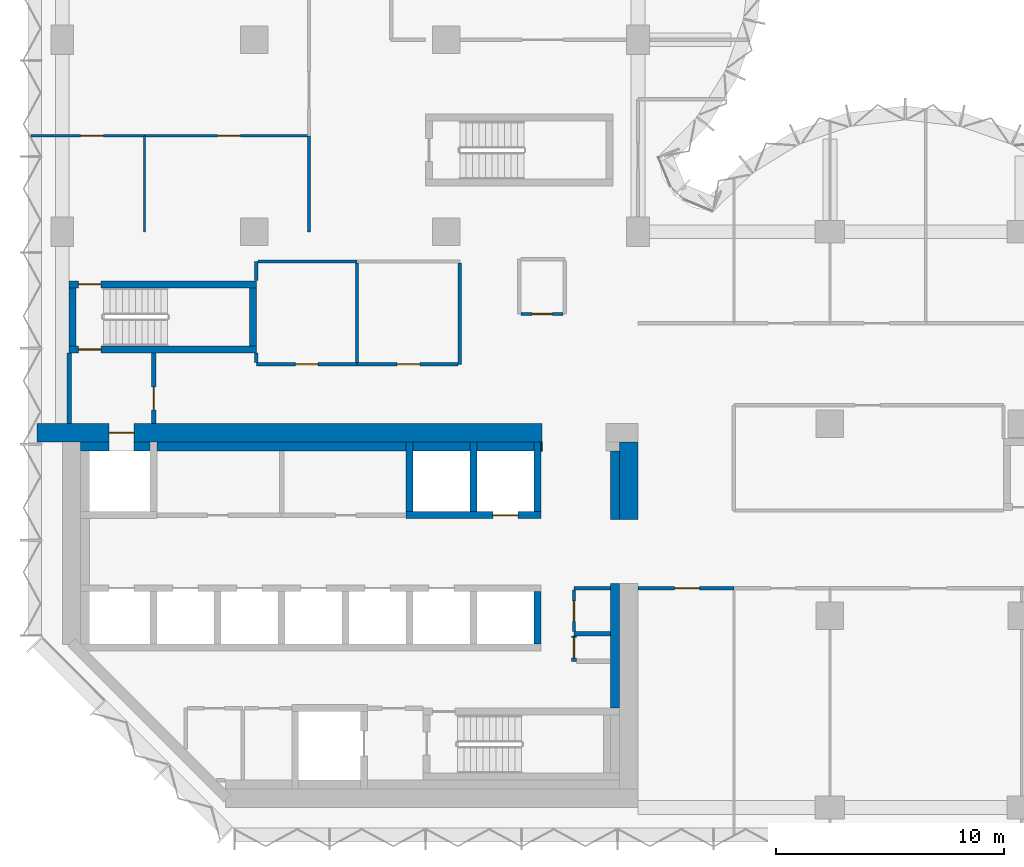
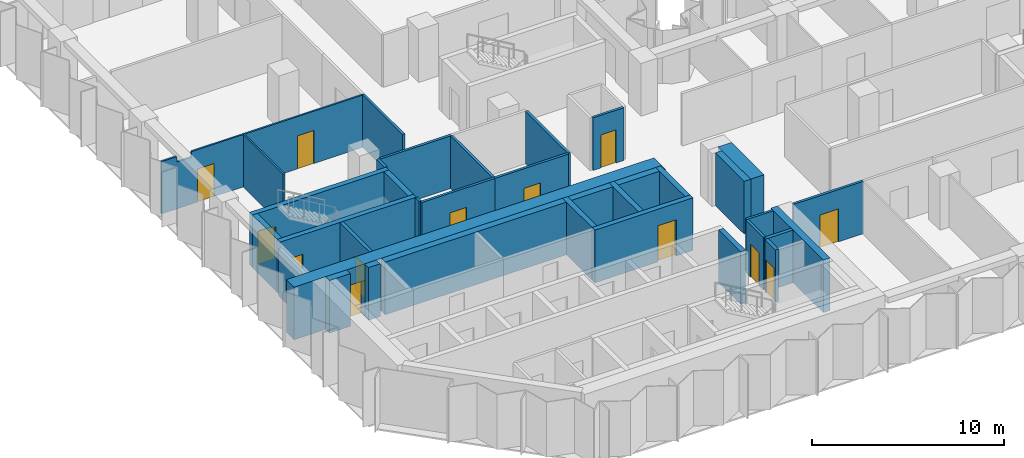
# One storey, part 8 of 13: 38 walls, 13 doors, 13 openings.
"""IFC4 building model written with IfcOpenShell, lengths in metres."""

from ifc_helpers import new_model, si_unit, direction, frame, frame_2d, origin, place, context, subcontext, project, spatial, polyline, rectangle, outline, extrude, material, layer, layer_set, type_object, element, fill, save


model = new_model("IFC4")

# Units and contexts
model_context = context("Model", 3, precision=1e-05, world=origin(), true_north=direction((0.0, 1.0)))
body_context = subcontext(model_context, "Body", "Model", "MODEL_VIEW")
ifc_project = project(units=[si_unit("LENGTHUNIT", "METRE"), si_unit("AREAUNIT", "SQUARE_METRE"), si_unit("VOLUMEUNIT", "CUBIC_METRE"), si_unit("PLANEANGLEUNIT", "RADIAN"), si_unit("MASSUNIT", "GRAM", prefix="KILO")], contexts=[model_context])

# Site, building, storey
site_placement = place(None, origin())
site = spatial("IfcSite", under=ifc_project, at=site_placement, CompositionType="ELEMENT")
building_placement = place(site_placement, origin())
building = spatial("IfcBuilding", under=site, at=building_placement, Name="Brevane Broadcast Tower", CompositionType="ELEMENT")
storey_placement = place(building_placement, frame((0.0, 0.0, 113.300048828125)))
storey = spatial("IfcBuildingStorey", under=building, at=storey_placement, Name="L27", CompositionType="ELEMENT", Elevation=113.300048828125)

# Walls
ifc_material_1 = material(Name="Concrete C32/40", Category="concrete")
ifc_layer_1 = layer(ifc_material_1, 0.39990234375)
ifc_layer_set_1 = layer_set([ifc_layer_1], Name="Core chase wall 400 mm")
wall_type_1 = type_object("IfcWallType", Name="Core chase wall 400 mm", PredefinedType="PARTITIONING", material=ifc_layer_set_1)
wall_1_placement = place(storey_placement, frame((24.199951171875, 12.60009765625, 0.0), z_axis=(0.0, 0.0, 1.0), x_axis=(0.0, 1.0, 0.0)))
element("IfcWall", 1, at=wall_1_placement, inside=storey, type_object=wall_type_1, Name="L27 chase wall LE2", PredefinedType="PARTITIONING", context=body_context, shape_type="SweptSolid", body=[
    extrude(rectangle(XDim=3.0, YDim=0.39990234375, at=frame_2d((1.5, 0.0))), origin(), (0.0, 0.0, 1.0), 3.349853515625),
])
wall_2_placement = place(storey_placement, frame((0.800048828125, 15.800048828125, 0.0), z_axis=(0.0, 0.0, 1.0), x_axis=(1.0, 0.0, 0.0)))
element("IfcWall", 2, at=wall_2_placement, inside=storey, type_object=wall_type_1, Name="L27 chase wall LN0", PredefinedType="PARTITIONING", context=body_context, shape_type="SweptSolid", body=[
    extrude(rectangle(XDim=1.25, YDim=0.39990234375, at=frame_2d((0.625, 0.0))), origin(), (0.0, 0.0, 1.0), 3.349853515625),
])
wall_3_placement = place(storey_placement, frame((3.14990234375, 15.800048828125, 0.0), z_axis=(0.0, 0.0, 1.0), x_axis=(1.0, 0.0, 0.0)))
element("IfcWall", 3, at=wall_3_placement, inside=storey, type_object=wall_type_1, Name="L27 chase wall LN1-1", PredefinedType="PARTITIONING", context=body_context, shape_type="SweptSolid", body=[
    extrude(rectangle(XDim=0.7001953125, YDim=0.39990234375, at=frame_2d((0.35009765625, 0.0))), origin(), (0.0, 0.0, 1.0), 3.349853515625),
])
wall_4_placement = place(storey_placement, frame((4.14990234375, 15.800048828125, 0.0), z_axis=(0.0, 0.0, 1.0), x_axis=(1.0, 0.0, 0.0)))
element("IfcWall", 4, at=wall_4_placement, inside=storey, type_object=wall_type_1, Name="L27 chase wall LN1-2-1", PredefinedType="PARTITIONING", context=body_context, shape_type="SweptSolid", body=[
    extrude(rectangle(XDim=10.900146484375, YDim=0.39990234375, at=frame_2d((5.4501953125, 0.0))), origin(), (0.0, 0.0, 1.0), 3.349853515625),
])
for number, where, z_axis, x_axis, name in (
    (5, (15.35009765625, 15.800048828125, 0.0), (0.0, 0.0, 1.0), (1.0, 0.0, 0.0), "L27 chase wall LN1-2-2-1"),
    (6, (18.14990234375, 15.800048828125, 0.0), (0.0, 0.0, 1.0), (1.0, 0.0, 0.0), "L27 chase wall LN1-2-2-2-1"),
):
    element("IfcWall", number, at=place(storey_placement, frame(where, z_axis=z_axis, x_axis=x_axis)), inside=storey, type_object=wall_type_1, Name=name, PredefinedType="PARTITIONING", context=body_context, shape_type="SweptSolid", body=[
        extrude(rectangle(XDim=2.5, YDim=0.39990234375, at=frame_2d((1.25, 0.0))), origin(), (0.0, 0.0, 1.0), 3.349853515625),
    ])
wall_5_placement = place(storey_placement, frame((20.949951171875, 15.800048828125, 0.0), z_axis=(0.0, 0.0, 1.0), x_axis=(1.0, 0.0, 0.0)))
element("IfcWall", 7, at=wall_5_placement, inside=storey, type_object=wall_type_1, Name="L27 chase wall LN1-2-2-2-2", PredefinedType="PARTITIONING", context=body_context, shape_type="SweptSolid", body=[
    extrude(rectangle(XDim=0.050048828125, YDim=0.39990234375, at=frame_2d((0.02490234375, 0.0))), origin(), (0.0, 0.0, 1.0), 3.349853515625),
])
wall_6_placement = place(storey_placement, frame((24.199951171875, 4.35009765625, 0.0), z_axis=(0.0, 0.0, 1.0), x_axis=(0.0, 1.0, 0.0)))
element("IfcWall", 8, at=wall_6_placement, inside=storey, type_object=wall_type_1, Name="L27 chase wall LE1-2-2", PredefinedType="PARTITIONING", context=body_context, shape_type="SweptSolid", body=[
    extrude(rectangle(XDim=5.449951171875, YDim=0.39990234375, at=frame_2d((2.72509765625, 0.0))), origin(), (0.0, 0.0, 1.0), 3.349853515625),
])

# Wall, opening, door
ifc_material_2 = material(Name="Gypsum board on steel studs", Category="steel")
ifc_layer_2 = layer(ifc_material_2, 0.14990234375)
ifc_layer_set_2 = layer_set([ifc_layer_2], Name="Core fire partition 150 mm")
wall_type_2 = type_object("IfcWallType", Name="Core fire partition 150 mm", PredefinedType="PARTITIONING", material=ifc_layer_set_2)
wall_7_placement = place(storey_placement, frame((12.89990234375, 19.39990234375, 0.0), z_axis=(0.0, 0.0, 1.0), x_axis=(-1.0, 0.0, 0.0)))
wall_7 = element("IfcWall", 9, at=wall_7_placement, inside=storey, type_object=wall_type_2, Name="L27 partition wall P15", PredefinedType="PARTITIONING", context=body_context, shape_type="SweptSolid", body=[
    extrude(rectangle(XDim=4.39990234375, YDim=0.14990234375, at=frame_2d((2.199951171875, 0.0))), origin(), (0.0, 0.0, 1.0), 3.349853515625),
])
opening_1_placement = place(wall_7_placement, frame((1.699951171875, 0.0, 0.0)))
opening_1 = element("IfcOpeningElement", 10, at=opening_1_placement, cuts=wall_7, Name="Opening L27-K25", PredefinedType="OPENING", context=body_context, shape_type="SweptSolid", body=[
    extrude(rectangle(XDim=1.0, YDim=2.10009765625, at=frame_2d((0.5, 1.050048828125))), frame((0.0, 0.0849609375, 0.0), z_axis=(0.0, -1.0, 0.0), x_axis=(1.0, 0.0, 0.0)), (0.0, 0.0, 1.0), 0.169921875),
])
ifc_material_3 = material(Name="Steel", Category="steel")
door_type_1 = type_object("IfcDoorType", Name="Service room door 1000 x 2100", OperationType="SINGLE_SWING_LEFT", PredefinedType="DOOR", material=ifc_material_3)
door_1_placement = place(opening_1_placement, origin())
door_1 = element("IfcDoor", 11, at=door_1_placement, inside=storey, type_object=door_type_1, Name="Door L27-K25", OperationType="SINGLE_SWING_RIGHT", OverallHeight=2.10009765625, OverallWidth=1.0, PredefinedType="DOOR", context=body_context, shape_type="SweptSolid", body=[
    extrude(rectangle(XDim=1.0, YDim=2.10009765625, at=frame_2d((0.5, 1.050048828125))), frame((0.0, 0.02490234375, 0.0), z_axis=(0.0, -1.0, 0.0), x_axis=(1.0, 0.0, 0.0)), (0.0, 0.0, 1.0), 0.050048828125),
])
fill(opening_1, door_1)

# Walls
wall_8_placement = place(storey_placement, frame((8.5, 19.47509765625, 0.0), z_axis=(0.0, 0.0, 1.0), x_axis=(0.0, 1.0, 0.0)))
element("IfcWall", 12, at=wall_8_placement, inside=storey, type_object=wall_type_2, Name="L27 partition wall P16", PredefinedType="PARTITIONING", context=body_context, shape_type="SweptSolid", body=[
    extrude(rectangle(XDim=0.412841796875, YDim=0.14990234375, at=frame_2d((0.20654296875, 0.0))), origin(), (0.0, 0.0, 1.0), 3.349853515625),
])
wall_9_placement = place(storey_placement, frame((8.5, 23.06201171875, 0.0), z_axis=(0.0, 0.0, 1.0), x_axis=(0.0, 1.0, 0.0)))
element("IfcWall", 13, at=wall_9_placement, inside=storey, type_object=wall_type_2, Name="L27 partition wall P17", PredefinedType="PARTITIONING", context=body_context, shape_type="SweptSolid", body=[
    extrude(rectangle(XDim=0.837890625, YDim=0.14990234375, at=frame_2d((0.4189453125, 0.0))), origin(), (0.0, 0.0, 1.0), 3.349853515625),
])
wall_10_placement = place(storey_placement, frame((8.574951171875, 23.89990234375, 0.0), z_axis=(0.0, 0.0, 1.0), x_axis=(1.0, 0.0, 0.0)))
element("IfcWall", 14, at=wall_10_placement, inside=storey, type_object=wall_type_2, Name="L27 partition wall P18", PredefinedType="PARTITIONING", context=body_context, shape_type="SweptSolid", body=[
    extrude(rectangle(XDim=4.324951171875, YDim=0.14990234375, at=frame_2d((2.16259765625, 0.0))), origin(), (0.0, 0.0, 1.0), 3.349853515625),
])
wall_11_placement = place(storey_placement, frame((17.39990234375, 23.824951171875, 0.0), z_axis=(0.0, 0.0, 1.0), x_axis=(0.0, -1.0, 0.0)))
element("IfcWall", 15, at=wall_11_placement, inside=storey, type_object=wall_type_2, Name="L27 partition wall P20", PredefinedType="PARTITIONING", context=body_context, shape_type="SweptSolid", body=[
    extrude(rectangle(XDim=4.425048828125, YDim=0.14990234375, at=frame_2d((2.21240234375, 0.0))), origin(), (0.0, 0.0, 1.0), 3.349853515625),
])

# Wall, opening, door
wall_12_placement = place(storey_placement, frame((17.324951171875, 19.39990234375, 0.0), z_axis=(0.0, 0.0, 1.0), x_axis=(-1.0, 0.0, 0.0)))
wall_12 = element("IfcWall", 16, at=wall_12_placement, inside=storey, type_object=wall_type_2, Name="L27 partition wall P21", PredefinedType="PARTITIONING", context=body_context, shape_type="SweptSolid", body=[
    extrude(rectangle(XDim=4.425048828125, YDim=0.14990234375, at=frame_2d((2.21240234375, 0.0))), origin(), (0.0, 0.0, 1.0), 3.349853515625),
])
opening_2_placement = place(wall_12_placement, frame((1.675048828125, 0.0, 0.0)))
opening_2 = element("IfcOpeningElement", 17, at=opening_2_placement, cuts=wall_12, Name="Opening L27-K26", PredefinedType="OPENING", context=body_context, shape_type="SweptSolid", body=[
    extrude(rectangle(XDim=1.0, YDim=2.10009765625, at=frame_2d((0.5, 1.050048828125))), frame((0.0, 0.0849609375, 0.0), z_axis=(0.0, -1.0, 0.0), x_axis=(1.0, 0.0, 0.0)), (0.0, 0.0, 1.0), 0.169921875),
])
door_2_placement = place(opening_2_placement, origin())
door_2 = element("IfcDoor", 18, at=door_2_placement, inside=storey, type_object=door_type_1, Name="Door L27-K26", OperationType="SINGLE_SWING_LEFT", OverallHeight=2.10009765625, OverallWidth=1.0, PredefinedType="DOOR", context=body_context, shape_type="SweptSolid", body=[
    extrude(rectangle(XDim=1.0, YDim=2.10009765625, at=frame_2d((0.5, 1.050048828125))), frame((0.0, 0.02490234375, 0.0), z_axis=(0.0, -1.0, 0.0), x_axis=(1.0, 0.0, 0.0)), (0.0, 0.0, 1.0), 0.050048828125),
])
fill(opening_2, door_2)

# Walls
wall_13_placement = place(storey_placement, frame((12.89990234375, 23.824951171875, 0.0), z_axis=(0.0, 0.0, 1.0), x_axis=(0.0, -1.0, 0.0)))
element("IfcWall", 19, at=wall_13_placement, inside=storey, type_object=wall_type_2, Name="L27 partition wall P22", PredefinedType="PARTITIONING", context=body_context, shape_type="SweptSolid", body=[
    extrude(rectangle(XDim=4.349853515625, YDim=0.14990234375, at=frame_2d((2.1748046875, 0.0))), origin(), (0.0, 0.0, 1.0), 3.349853515625),
])
wall_14_placement = place(storey_placement, frame((23.988037109375, 9.60009765625, 0.0), z_axis=(0.0, 0.0, 1.0), x_axis=(-1.0, 0.0, 0.0)))
element("IfcWall", 20, at=wall_14_placement, inside=storey, type_object=wall_type_2, Name="L27 partition wall P23", PredefinedType="PARTITIONING", context=body_context, shape_type="SweptSolid", body=[
    extrude(rectangle(XDim=1.588134765625, YDim=0.14990234375, at=frame_2d((0.7939453125, 0.0))), origin(), (0.0, 0.0, 1.0), 3.349853515625),
])

# Wall, opening, door
wall_15_placement = place(storey_placement, frame((22.39990234375, 9.52490234375, 0.0), z_axis=(0.0, 0.0, 1.0), x_axis=(0.0, -1.0, 0.0)))
wall_15 = element("IfcWall", 21, at=wall_15_placement, inside=storey, type_object=wall_type_2, Name="L27 partition wall P24", PredefinedType="PARTITIONING", context=body_context, shape_type="SweptSolid", body=[
    extrude(rectangle(XDim=1.824951171875, YDim=0.14990234375, at=frame_2d((0.91259765625, 0.0))), origin(), (0.0, 0.0, 1.0), 3.349853515625),
])
opening_3_placement = place(wall_15_placement, frame((0.47509765625, 0.0, 0.0)))
opening_3 = element("IfcOpeningElement", 22, at=opening_3_placement, cuts=wall_15, Name="Opening L27-K20", PredefinedType="OPENING", context=body_context, shape_type="SweptSolid", body=[
    extrude(rectangle(XDim=0.89990234375, YDim=2.10009765625, at=frame_2d((0.449951171875, 1.050048828125))), frame((0.0, 0.0849609375, 0.0), z_axis=(0.0, -1.0, 0.0), x_axis=(1.0, 0.0, 0.0)), (0.0, 0.0, 1.0), 0.169921875),
])
door_type_2 = type_object("IfcDoorType", Name="Service room door 900 x 2100", OperationType="SINGLE_SWING_LEFT", PredefinedType="DOOR", material=ifc_material_3)
door_3_placement = place(opening_3_placement, origin())
door_3 = element("IfcDoor", 23, at=door_3_placement, inside=storey, type_object=door_type_2, Name="Door L27-K20", OperationType="SINGLE_SWING_LEFT", OverallHeight=2.10009765625, OverallWidth=0.89990234375, PredefinedType="DOOR", context=body_context, shape_type="SweptSolid", body=[
    extrude(rectangle(XDim=0.89990234375, YDim=2.10009765625, at=frame_2d((0.449951171875, 1.050048828125))), frame((0.0, 0.02490234375, 0.0), z_axis=(0.0, -1.0, 0.0), x_axis=(1.0, 0.0, 0.0)), (0.0, 0.0, 1.0), 0.050048828125),
])
fill(opening_3, door_3)

wall_16_placement = place(storey_placement, frame((21.925048828125, 21.60009765625, 0.0), z_axis=(0.0, 0.0, 1.0), x_axis=(-1.0, 0.0, 0.0)))
wall_16 = element("IfcWall", 24, at=wall_16_placement, inside=storey, type_object=wall_type_2, Name="L27 partition wall P28", PredefinedType="PARTITIONING", context=body_context, shape_type="SweptSolid", body=[
    extrude(rectangle(XDim=1.85009765625, YDim=0.14990234375, at=frame_2d((0.925048828125, 0.0))), origin(), (0.0, 0.0, 1.0), 3.349853515625),
])
opening_4_placement = place(wall_16_placement, frame((0.47509765625, 0.0, 0.0)))
opening_4 = element("IfcOpeningElement", 25, at=opening_4_placement, cuts=wall_16, Name="Opening L27-K24", PredefinedType="OPENING", context=body_context, shape_type="SweptSolid", body=[
    extrude(rectangle(XDim=0.89990234375, YDim=2.10009765625, at=frame_2d((0.449951171875, 1.050048828125))), frame((0.0, 0.0849609375, 0.0), z_axis=(0.0, -1.0, 0.0), x_axis=(1.0, 0.0, 0.0)), (0.0, 0.0, 1.0), 0.169921875),
])
ifc_material_4 = material(Name="Timber", Category="wood")
door_type_3 = type_object("IfcDoorType", Name="Toilet door 900 x 2100", OperationType="SINGLE_SWING_LEFT", PredefinedType="DOOR", material=ifc_material_4)
door_4_placement = place(opening_4_placement, origin())
door_4 = element("IfcDoor", 26, at=door_4_placement, inside=storey, type_object=door_type_3, Name="Door L27-K24", OperationType="SINGLE_SWING_LEFT", OverallHeight=2.10009765625, OverallWidth=0.89990234375, PredefinedType="DOOR", context=body_context, shape_type="SweptSolid", body=[
    extrude(rectangle(XDim=0.89990234375, YDim=2.10009765625, at=frame_2d((0.449951171875, 1.050048828125))), frame((0.0, 0.02490234375, 0.0), z_axis=(0.0, -1.0, 0.0), x_axis=(1.0, 0.0, 0.0)), (0.0, 0.0, 1.0), 0.050048828125),
])
fill(opening_4, door_4)

# Wall
ifc_layer_3 = layer(ifc_material_2, 0.199951171875)
ifc_layer_set_3 = layer_set([ifc_layer_3], Name="Core fire partition 200 mm")
wall_type_3 = type_object("IfcWallType", Name="Core fire partition 200 mm", PredefinedType="PARTITIONING", material=ifc_layer_set_3)
wall_17_placement = place(storey_placement, frame((0.300048828125, 16.81201171875, 0.0), z_axis=(0.0, 0.0, 1.0), x_axis=(0.0, 1.0, 0.0)))
element("IfcWall", 27, at=wall_17_placement, inside=storey, type_object=wall_type_3, Name="L27 partition wall P01", PredefinedType="PARTITIONING", context=body_context, shape_type="SweptSolid", body=[
    extrude(rectangle(XDim=3.075927734375, YDim=0.199951171875, at=frame_2d((1.5380859375, 0.0))), origin(), (0.0, 0.0, 1.0), 2.97998046875),
])

# Wall, opening, door
wall_18_placement = place(storey_placement, frame((4.0, 19.887939453125, 0.0), z_axis=(0.0, 0.0, 1.0), x_axis=(0.0, -1.0, 0.0)))
wall_18 = element("IfcWall", 28, at=wall_18_placement, inside=storey, type_object=wall_type_3, Name="L27 partition wall P02", PredefinedType="PARTITIONING", context=body_context, shape_type="SweptSolid", body=[
    extrude(rectangle(XDim=3.075927734375, YDim=0.199951171875, at=frame_2d((1.5380859375, 0.0))), origin(), (0.0, 0.0, 1.0), 3.349853515625),
])
opening_5_placement = place(wall_18_placement, frame((1.488037109375, 0.0, 0.0)))
opening_5 = element("IfcOpeningElement", 29, at=opening_5_placement, cuts=wall_18, Name="Opening L27-K23", PredefinedType="OPENING", context=body_context, shape_type="SweptSolid", body=[
    extrude(rectangle(XDim=1.0, YDim=2.10009765625, at=frame_2d((0.5, 1.050048828125))), frame((0.0, 0.10986328125, 0.0), z_axis=(0.0, -1.0, 0.0), x_axis=(1.0, 0.0, 0.0)), (0.0, 0.0, 1.0), 0.219970703125),
])
door_type_4 = type_object("IfcDoorType", Name="Stair door 1000 x 2100", OperationType="SINGLE_SWING_LEFT", PredefinedType="DOOR", material=ifc_material_3)
door_5_placement = place(opening_5_placement, origin())
door_5 = element("IfcDoor", 30, at=door_5_placement, inside=storey, type_object=door_type_4, Name="Door L27-K23", OperationType="SINGLE_SWING_RIGHT", OverallHeight=2.10009765625, OverallWidth=1.0, PredefinedType="DOOR", context=body_context, shape_type="SweptSolid", body=[
    extrude(rectangle(XDim=1.0, YDim=2.10009765625, at=frame_2d((0.5, 1.050048828125))), frame((0.0, 0.02490234375, 0.0), z_axis=(0.0, -1.0, 0.0), x_axis=(1.0, 0.0, 0.0)), (0.0, 0.0, 1.0), 0.050048828125),
])
fill(opening_5, door_5)

# Wall
wall_19_placement = place(storey_placement, frame((23.988037109375, 7.60009765625, 0.0), z_axis=(0.0, 0.0, 1.0), x_axis=(-1.0, 0.0, 0.0)))
element("IfcWall", 31, at=wall_19_placement, inside=storey, type_object=wall_type_3, Name="L27 partition wall P07", PredefinedType="PARTITIONING", context=body_context, shape_type="SweptSolid", body=[
    extrude(rectangle(XDim=1.588134765625, YDim=0.199951171875, at=frame_2d((0.7939453125, 0.0))), origin(), (0.0, 0.0, 1.0), 3.349853515625),
])

# Wall, opening, door
wall_20_placement = place(storey_placement, frame((22.39990234375, 7.5, 0.0), z_axis=(0.0, 0.0, 1.0), x_axis=(0.0, -1.0, 0.0)))
wall_20 = element("IfcWall", 32, at=wall_20_placement, inside=storey, type_object=wall_type_3, Name="L27 partition wall P08", PredefinedType="PARTITIONING", context=body_context, shape_type="SweptSolid", body=[
    extrude(rectangle(XDim=1.10009765625, YDim=0.199951171875, at=frame_2d((0.550048828125, 0.0))), origin(), (0.0, 0.0, 1.0), 3.349853515625),
])
opening_6_placement = place(wall_20_placement, frame((0.050048828125, 0.0, 0.0)))
opening_6 = element("IfcOpeningElement", 33, at=opening_6_placement, cuts=wall_20, Name="Opening L27-K19", PredefinedType="OPENING", context=body_context, shape_type="SweptSolid", body=[
    extrude(rectangle(XDim=0.89990234375, YDim=2.10009765625, at=frame_2d((0.449951171875, 1.050048828125))), frame((0.0, 0.10986328125, 0.0), z_axis=(0.0, -1.0, 0.0), x_axis=(1.0, 0.0, 0.0)), (0.0, 0.0, 1.0), 0.219970703125),
])
door_6_placement = place(opening_6_placement, origin())
door_6 = element("IfcDoor", 34, at=door_6_placement, inside=storey, type_object=door_type_2, Name="Door L27-K19", OperationType="SINGLE_SWING_RIGHT", OverallHeight=2.10009765625, OverallWidth=0.89990234375, PredefinedType="DOOR", context=body_context, shape_type="SweptSolid", body=[
    extrude(rectangle(XDim=0.89990234375, YDim=2.10009765625, at=frame_2d((0.449951171875, 1.050048828125))), frame((0.0, 0.02490234375, 0.0), z_axis=(0.0, -1.0, 0.0), x_axis=(1.0, 0.0, 0.0)), (0.0, 0.0, 1.0), 0.050048828125),
])
fill(opening_6, door_6)

# Wall
ifc_material_5 = material(Name="Concrete C60/75", Category="concrete")
ifc_layer_4 = layer(ifc_material_5, 0.300048828125)
ifc_layer_set_4 = layer_set([ifc_layer_4], Name="Core wall 300 mm C60/75")
wall_type_4 = type_object("IfcWallType", Name="Core wall 300 mm C60/75", PredefinedType="SHEAR", material=ifc_layer_set_4)
wall_21_placement = place(storey_placement, frame((20.800048828125, 7.14990234375, 0.0), z_axis=(0.0, 0.0, 1.0), x_axis=(0.0, 1.0, 0.0)))
element("IfcWall", 35, at=wall_21_placement, inside=storey, type_object=wall_type_4, Name="L27 shaft wall SH-S-P208", PredefinedType="SHEAR", context=body_context, shape_type="SweptSolid", body=[
    extrude(rectangle(XDim=2.300048828125, YDim=0.300048828125, at=frame_2d((1.14990234375, 0.0))), origin(), (0.0, 0.0, 1.0), 3.349853515625),
])

# Wall, opening, door
wall_22_placement = place(storey_placement, frame((15.050048828125, 12.800048828125, 0.0), z_axis=(0.0, 0.0, 1.0), x_axis=(1.0, 0.0, 0.0)))
wall_22 = element("IfcWall", 36, at=wall_22_placement, inside=storey, type_object=wall_type_4, Name="L27 shaft wall SH-N152-front", PredefinedType="SHEAR", context=body_context, shape_type="SweptSolid", body=[
    extrude(rectangle(XDim=5.89990234375, YDim=0.300048828125, at=frame_2d((2.949951171875, 0.0))), origin(), (0.0, 0.0, 1.0), 3.349853515625),
])
opening_7_placement = place(wall_22_placement, frame((3.800048828125, 0.0, 0.0)))
opening_7 = element("IfcOpeningElement", 37, at=opening_7_placement, cuts=wall_22, Name="Opening LD", PredefinedType="OPENING", context=body_context, shape_type="SweptSolid", body=[
    extrude(rectangle(XDim=1.10009765625, YDim=2.300048828125, at=frame_2d((0.550048828125, 1.14990234375))), frame((0.0, 0.159912109375, 0.0), z_axis=(0.0, -1.0, 0.0), x_axis=(1.0, 0.0, 0.0)), (0.0, 0.0, 1.0), 0.320068359375),
])
ifc_material_6 = material(Name="Stainless steel", Category="steel")
door_type_5 = type_object("IfcDoorType", Name="Lift landing door", OperationType="SLIDING_TO_LEFT", PredefinedType="DOOR", material=ifc_material_6)
door_7_placement = place(opening_7_placement, origin())
door_7 = element("IfcDoor", 38, at=door_7_placement, inside=storey, type_object=door_type_5, Name="Landing door SL1 L27", OperationType="SLIDING_TO_LEFT", OverallHeight=2.300048828125, OverallWidth=1.10009765625, PredefinedType="DOOR", context=body_context, shape_type="SweptSolid", body=[
    extrude(rectangle(XDim=1.10009765625, YDim=2.300048828125, at=frame_2d((0.550048828125, 1.14990234375))), frame((0.0, 0.02490234375, 0.0), z_axis=(0.0, -1.0, 0.0), x_axis=(1.0, 0.0, 0.0)), (0.0, 0.0, 1.0), 0.050048828125),
])
fill(opening_7, door_7)

# Walls
for number, where, z_axis, x_axis, name in (
    (39, (15.199951171875, 12.949951171875, 0.0), (0.0, 0.0, 1.0), (0.0, 1.0, 0.0), "L27 shaft wall SH-N-P152"),
    (40, (18.0, 12.949951171875, 0.0), (0.0, 0.0, 1.0), (0.0, 1.0, 0.0), "L27 shaft wall SH-N-P180"),
    (41, (20.800048828125, 12.949951171875, 0.0), (0.0, 0.0, 1.0), (0.0, 1.0, 0.0), "L27 shaft wall SH-N-P208"),
):
    element("IfcWall", number, at=place(storey_placement, frame(where, z_axis=z_axis, x_axis=x_axis)), inside=storey, type_object=wall_type_4, Name=name, PredefinedType="SHEAR", context=body_context, shape_type="SweptSolid", body=[
        extrude(rectangle(XDim=3.050048828125, YDim=0.300048828125, at=frame_2d((1.52490234375, 0.0))), origin(), (0.0, 0.0, 1.0), 3.349853515625),
    ])

# Wall, opening, door
wall_23_placement = place(storey_placement, frame((8.5, 20.050048828125, 0.0), z_axis=(0.0, 0.0, 1.0), x_axis=(-1.0, 0.0, 0.0)))
wall_23 = element("IfcWall", 42, at=wall_23_placement, inside=storey, type_object=wall_type_4, Name="L27 stair wall ST-1-S", PredefinedType="SHEAR", context=body_context, shape_type="SweptSolid", body=[
    extrude(rectangle(XDim=8.199951171875, YDim=0.300048828125, at=frame_2d((4.10009765625, 0.0))), origin(), (0.0, 0.0, 1.0), 3.349853515625),
])
opening_8_placement = place(wall_23_placement, frame((6.800048828125, 0.0, 0.0)))
opening_8 = element("IfcOpeningElement", 43, at=opening_8_placement, cuts=wall_23, Name="Opening L27-K10", PredefinedType="OPENING", context=body_context, shape_type="SweptSolid", body=[
    extrude(rectangle(XDim=1.0, YDim=2.10009765625, at=frame_2d((0.5, 1.050048828125))), frame((0.0, 0.159912109375, 0.0), z_axis=(0.0, -1.0, 0.0), x_axis=(1.0, 0.0, 0.0)), (0.0, 0.0, 1.0), 0.320068359375),
])
door_8_placement = place(opening_8_placement, origin())
door_8 = element("IfcDoor", 44, at=door_8_placement, inside=storey, type_object=door_type_4, Name="Door L27-K10", OperationType="SINGLE_SWING_LEFT", OverallHeight=2.10009765625, OverallWidth=1.0, PredefinedType="DOOR", context=body_context, shape_type="SweptSolid", body=[
    extrude(rectangle(XDim=1.0, YDim=2.10009765625, at=frame_2d((0.5, 1.050048828125))), frame((0.0, 0.02490234375, 0.0), z_axis=(0.0, -1.0, 0.0), x_axis=(1.0, 0.0, 0.0)), (0.0, 0.0, 1.0), 0.050048828125),
])
fill(opening_8, door_8)

wall_24_placement = place(storey_placement, frame((0.300048828125, 22.89990234375, 0.0), z_axis=(0.0, 0.0, 1.0), x_axis=(1.0, 0.0, 0.0)))
wall_24 = element("IfcWall", 45, at=wall_24_placement, inside=storey, type_object=wall_type_4, Name="L27 stair wall ST-1-N", PredefinedType="SHEAR", context=body_context, shape_type="SweptSolid", body=[
    extrude(rectangle(XDim=8.199951171875, YDim=0.300048828125, at=frame_2d((4.10009765625, 0.0))), origin(), (0.0, 0.0, 1.0), 3.349853515625),
])
opening_9_placement = place(wall_24_placement, frame((0.39990234375, 0.0, 0.0)))
opening_9 = element("IfcOpeningElement", 46, at=opening_9_placement, cuts=wall_24, Name="Opening L27-K11", PredefinedType="OPENING", context=body_context, shape_type="SweptSolid", body=[
    extrude(rectangle(XDim=1.0, YDim=2.10009765625, at=frame_2d((0.5, 1.050048828125))), frame((0.0, 0.159912109375, 0.0), z_axis=(0.0, -1.0, 0.0), x_axis=(1.0, 0.0, 0.0)), (0.0, 0.0, 1.0), 0.320068359375),
])
door_9_placement = place(opening_9_placement, origin())
door_9 = element("IfcDoor", 47, at=door_9_placement, inside=storey, type_object=door_type_4, Name="Door L27-K11", OperationType="SINGLE_SWING_RIGHT", OverallHeight=2.10009765625, OverallWidth=1.0, PredefinedType="DOOR", context=body_context, shape_type="SweptSolid", body=[
    extrude(rectangle(XDim=1.0, YDim=2.10009765625, at=frame_2d((0.5, 1.050048828125))), frame((0.0, 0.02490234375, 0.0), z_axis=(0.0, -1.0, 0.0), x_axis=(1.0, 0.0, 0.0)), (0.0, 0.0, 1.0), 0.050048828125),
])
fill(opening_9, door_9)

# Walls
for number, where, z_axis, x_axis, name in (
    (48, (0.449951171875, 20.199951171875, 0.0), (0.0, 0.0, 1.0), (0.0, 1.0, 0.0), "L27 stair wall ST-1-W"),
    (49, (8.35009765625, 20.199951171875, 0.0), (0.0, 0.0, 1.0), (0.0, 1.0, 0.0), "L27 stair wall ST-1-E"),
):
    element("IfcWall", number, at=place(storey_placement, frame(where, z_axis=z_axis, x_axis=x_axis)), inside=storey, type_object=wall_type_4, Name=name, PredefinedType="SHEAR", context=body_context, shape_type="SweptSolid", body=[
        extrude(rectangle(XDim=2.550048828125, YDim=0.300048828125, at=frame_2d((1.27490234375, 0.0))), origin(), (0.0, 0.0, 1.0), 3.349853515625),
    ])

# Wall, opening, door
ifc_layer_5 = layer(ifc_material_5, 0.800048828125)
ifc_layer_set_5 = layer_set([ifc_layer_5], Name="Core wall 800 mm C60/75")
wall_type_5 = type_object("IfcWallType", Name="Core wall 800 mm C60/75", PredefinedType="SHEAR", material=ifc_layer_set_5)
wall_25_placement = place(storey_placement, frame((-1.10009765625, 16.39990234375, 0.0), z_axis=(0.0, 0.0, 1.0), x_axis=(1.0, 0.0, 0.0)))
wall_25 = element("IfcWall", 50, at=wall_25_placement, inside=storey, type_object=wall_type_5, Name="L27 outer wall WN1", PredefinedType="SHEAR", context=body_context, shape_type="SweptSolid", body=[
    extrude(rectangle(XDim=22.10009765625, YDim=0.800048828125, at=frame_2d((11.050048828125, 0.0))), origin(), (0.0, 0.0, 1.0), 3.349853515625),
])
opening_10_placement = place(wall_25_placement, frame((3.14990234375, 0.0, 0.0)))
opening_10 = element("IfcOpeningElement", 51, at=opening_10_placement, cuts=wall_25, Name="Opening LD", PredefinedType="OPENING", context=body_context, shape_type="SweptSolid", body=[
    extrude(rectangle(XDim=1.10009765625, YDim=2.300048828125, at=frame_2d((0.550048828125, 1.14990234375))), frame((0.0, 0.409912109375, 0.0), z_axis=(0.0, -1.0, 0.0), x_axis=(1.0, 0.0, 0.0)), (0.0, 0.0, 1.0), 0.820068359375),
])
door_10_placement = place(opening_10_placement, origin())
door_10 = element("IfcDoor", 52, at=door_10_placement, inside=storey, type_object=door_type_5, Name="Landing door FF1 L27", OperationType="SLIDING_TO_LEFT", OverallHeight=2.300048828125, OverallWidth=1.10009765625, PredefinedType="DOOR", context=body_context, shape_type="SweptSolid", body=[
    extrude(rectangle(XDim=1.10009765625, YDim=2.300048828125, at=frame_2d((0.550048828125, 1.14990234375))), frame((0.0, 0.02490234375, 0.0), z_axis=(0.0, -1.0, 0.0), x_axis=(1.0, 0.0, 0.0)), (0.0, 0.0, 1.0), 0.050048828125),
])
fill(opening_10, door_10)

# Wall
wall_26_placement = place(storey_placement, frame((24.800048828125, 12.60009765625, 0.0), z_axis=(0.0, 0.0, 1.0), x_axis=(0.0, 1.0, 0.0)))
element("IfcWall", 53, at=wall_26_placement, inside=storey, type_object=wall_type_5, Name="L27 outer wall WE2", PredefinedType="SHEAR", context=body_context, shape_type="SweptSolid", body=[
    extrude(rectangle(XDim=3.39990234375, YDim=0.800048828125, at=frame_2d((1.699951171875, 0.0))), origin(), (0.0, 0.0, 1.0), 3.349853515625),
])

# Wall, opening, door
ifc_material_7 = material(Name="Gypsum board partition")
ifc_layer_6 = layer(ifc_material_7, 0.10009765625)
ifc_layer_set_6 = layer_set([ifc_layer_6], Name="PARTITION 100 STUD")
wall_type_6 = type_object("IfcWallType", Name="PARTITION 100 STUD", PredefinedType="PARTITIONING", material=ifc_layer_set_6)
wall_27_placement = place(storey_placement, frame((3.60009765625, 29.39990234375, 0.0), z_axis=(0.0, 0.0, 1.0), x_axis=(-1.0, 0.0, 0.0)))
wall_27 = element("IfcWall", 54, at=wall_27_placement, inside=storey, type_object=wall_type_6, Name="Partition G08-059", PredefinedType="PARTITIONING", context=body_context, shape_type="SweptSolid", body=[
    extrude(outline(polyline([(0.0, 0.0), (4.965087890625, 0.0), (4.965087890625, 3.329833984375), (4.699951171875, 3.329833984375), (4.050048828125, 3.329833984375), (4.048095703125, 2.97998046875), (3.152099609375, 2.97998046875), (3.14990234375, 3.329833984375), (0.0, 3.329833984375), (0.0, 0.0)])), frame((0.0, 0.050048828125, 0.0), z_axis=(0.0, -1.0, 0.0), x_axis=(1.0, 0.0, 0.0)), (0.0, 0.0, 1.0), 0.10009765625),
])
opening_11_placement = place(wall_27_placement, frame((1.800048828125, 0.0, 0.0)))
opening_11 = element("IfcOpeningElement", 55, at=opening_11_placement, cuts=wall_27, Name="Opening D15-015", PredefinedType="OPENING", context=body_context, shape_type="SweptSolid", body=[
    extrude(rectangle(XDim=1.0, YDim=2.10009765625, at=frame_2d((0.5, 1.050048828125))), frame((0.0, 0.06005859375, 0.0), z_axis=(0.0, -1.0, 0.0), x_axis=(1.0, 0.0, 0.0)), (0.0, 0.0, 1.0), 0.1201171875),
])
ifc_material_8 = material(Name="Timber door leaf", Category="wood")
door_type_6 = type_object("IfcDoorType", Name="DOOR SINGLE 1000 INTERNAL", OperationType="SINGLE_SWING_LEFT", PredefinedType="DOOR", material=ifc_material_8)
door_11_placement = place(opening_11_placement, origin())
door_11 = element("IfcDoor", 56, at=door_11_placement, inside=storey, type_object=door_type_6, Name="Door D15-015", OperationType="SINGLE_SWING_LEFT", OverallHeight=2.10009765625, OverallWidth=1.0, PredefinedType="DOOR", context=body_context, shape_type="SweptSolid", body=[
    extrude(rectangle(XDim=1.0, YDim=2.10009765625, at=frame_2d((0.5, 1.050048828125))), frame((0.0, 0.02490234375, 0.0), z_axis=(0.0, -1.0, 0.0), x_axis=(1.0, 0.0, 0.0)), (0.0, 0.0, 1.0), 0.050048828125),
])
fill(opening_11, door_11)

wall_28_placement = place(storey_placement, frame((10.800048828125, 29.39990234375, 0.0), z_axis=(0.0, 0.0, 1.0), x_axis=(-1.0, 0.0, 0.0)))
wall_28 = element("IfcWall", 57, at=wall_28_placement, inside=storey, type_object=wall_type_6, Name="Partition G08-060", PredefinedType="PARTITIONING", context=body_context, shape_type="SweptSolid", body=[
    extrude(rectangle(XDim=7.199951171875, YDim=0.10009765625, at=frame_2d((3.60009765625, 0.0))), origin(), (0.0, 0.0, 1.0), 3.329833984375),
])
opening_12_placement = place(wall_28_placement, frame((3.0, 0.0, 0.0)))
opening_12 = element("IfcOpeningElement", 58, at=opening_12_placement, cuts=wall_28, Name="Opening D15-016", PredefinedType="OPENING", context=body_context, shape_type="SweptSolid", body=[
    extrude(rectangle(XDim=1.0, YDim=2.10009765625, at=frame_2d((0.5, 1.050048828125))), frame((0.0, 0.06005859375, 0.0), z_axis=(0.0, -1.0, 0.0), x_axis=(1.0, 0.0, 0.0)), (0.0, 0.0, 1.0), 0.1201171875),
])
door_12_placement = place(opening_12_placement, origin())
door_12 = element("IfcDoor", 59, at=door_12_placement, inside=storey, type_object=door_type_6, Name="Door D15-016", OperationType="SINGLE_SWING_LEFT", OverallHeight=2.10009765625, OverallWidth=1.0, PredefinedType="DOOR", context=body_context, shape_type="SweptSolid", body=[
    extrude(rectangle(XDim=1.0, YDim=2.10009765625, at=frame_2d((0.5, 1.050048828125))), frame((0.0, 0.02490234375, 0.0), z_axis=(0.0, -1.0, 0.0), x_axis=(1.0, 0.0, 0.0)), (0.0, 0.0, 1.0), 0.050048828125),
])
fill(opening_12, door_12)

# Wall
wall_29_placement = place(storey_placement, frame((3.60009765625, 29.39990234375, 0.0), z_axis=(0.0, 0.0, 1.0), x_axis=(0.0, -1.0, 0.0)))
element("IfcWall", 60, at=wall_29_placement, inside=storey, type_object=wall_type_6, Name="Partition G08-062", PredefinedType="PARTITIONING", context=body_context, shape_type="SweptSolid", body=[
    extrude(rectangle(XDim=4.199951171875, YDim=0.10009765625, at=frame_2d((2.10009765625, 0.0))), origin(), (0.0, 0.0, 1.0), 3.329833984375),
])

# Wall, opening, door
ifc_layer_7 = layer(ifc_material_7, 0.14990234375)
ifc_layer_set_7 = layer_set([ifc_layer_7], Name="PARTITION 150 EI 60")
wall_type_7 = type_object("IfcWallType", Name="PARTITION 150 EI 60", PredefinedType="PARTITIONING", material=ifc_layer_set_7)
wall_30_placement = place(storey_placement, frame((29.39990234375, 9.60009765625, 0.0), z_axis=(0.0, 0.0, 1.0), x_axis=(-1.0, 0.0, 0.0)))
wall_30 = element("IfcWall", 61, at=wall_30_placement, inside=storey, type_object=wall_type_7, Name="Partition G08-003", PredefinedType="PARTITIONING", context=body_context, shape_type="SweptSolid", body=[
    extrude(rectangle(XDim=4.199951171875, YDim=0.14990234375, at=frame_2d((2.10009765625, 0.0))), origin(), (0.0, 0.0, 1.0), 3.329833984375),
])
opening_13_placement = place(wall_30_placement, frame((1.5, 0.0, 0.0)))
opening_13 = element("IfcOpeningElement", 62, at=opening_13_placement, cuts=wall_30, Name="Opening D15-005", PredefinedType="OPENING", context=body_context, shape_type="SweptSolid", body=[
    extrude(rectangle(XDim=1.10009765625, YDim=2.10009765625, at=frame_2d((0.550048828125, 1.050048828125))), frame((0.0, 0.0849609375, 0.0), z_axis=(0.0, -1.0, 0.0), x_axis=(1.0, 0.0, 0.0)), (0.0, 0.0, 1.0), 0.169921875),
])
ifc_material_9 = material(Name="Fire-rated timber door leaf", Category="wood")
door_type_7 = type_object("IfcDoorType", Name="DOOR SINGLE 1100 FD30S", OperationType="SINGLE_SWING_LEFT", PredefinedType="DOOR", material=ifc_material_9)
door_13_placement = place(opening_13_placement, origin())
door_13 = element("IfcDoor", 63, at=door_13_placement, inside=storey, type_object=door_type_7, Name="Door D15-005", OperationType="SINGLE_SWING_LEFT", OverallHeight=2.10009765625, OverallWidth=1.10009765625, PredefinedType="DOOR", context=body_context, shape_type="SweptSolid", body=[
    extrude(rectangle(XDim=1.10009765625, YDim=2.10009765625, at=frame_2d((0.550048828125, 1.050048828125))), frame((0.0, 0.02490234375, 0.0), z_axis=(0.0, -1.0, 0.0), x_axis=(1.0, 0.0, 0.0)), (0.0, 0.0, 1.0), 0.050048828125),
])
fill(opening_13, door_13)

# Wall
wall_31_placement = place(storey_placement, frame((10.800048828125, 25.199951171875, 0.0), z_axis=(0.0, 0.0, 1.0), x_axis=(0.0, 1.0, 0.0)))
element("IfcWall", 64, at=wall_31_placement, inside=storey, type_object=wall_type_7, Name="Partition G08-040", PredefinedType="PARTITIONING", context=body_context, shape_type="SweptSolid", body=[
    extrude(rectangle(XDim=4.199951171875, YDim=0.14990234375, at=frame_2d((2.10009765625, 0.0))), origin(), (0.0, 0.0, 1.0), 3.329833984375),
])

save(model, "model.ifc")
